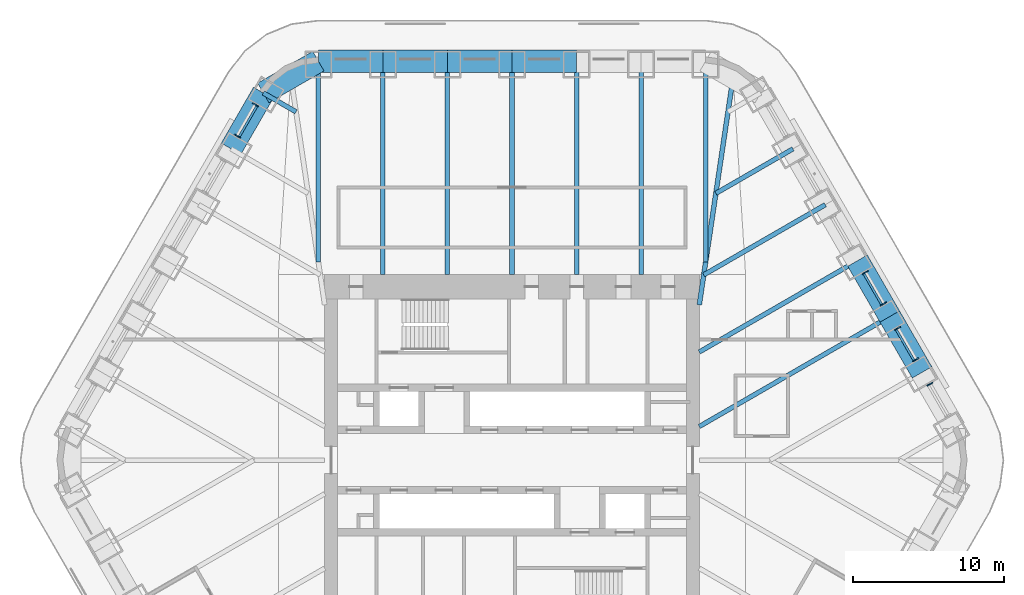
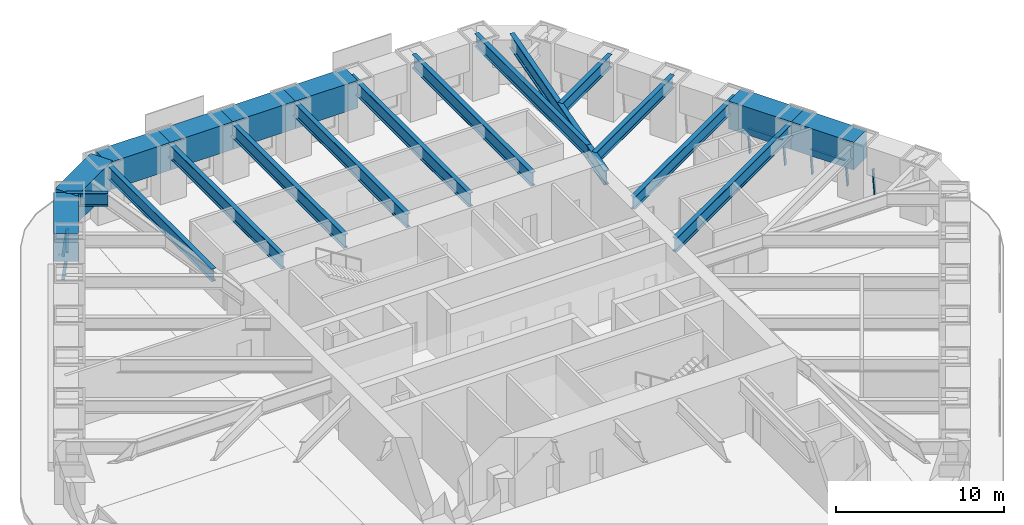
# One storey, part 9 of 18: 21 beams, 10 members, 4 elements without a shape of their own.
"""IFC4 building model written with IfcOpenShell, lengths in metres."""

from ifc_helpers import new_model, si_unit, direction, frame, origin, origin_2d, place, context, subcontext, project, spatial, rectangle, i_section, extrude, material, material_profile, profile_set, type_object, element, aggregate, save


model = new_model("IFC4")

# Units and contexts
model_context = context("Model", 3, precision=1e-05, world=origin(), true_north=direction((0.0, 1.0)))
body_context = subcontext(model_context, "Body", "Model", "MODEL_VIEW")
ifc_project = project(units=[si_unit("LENGTHUNIT", "METRE"), si_unit("AREAUNIT", "SQUARE_METRE"), si_unit("VOLUMEUNIT", "CUBIC_METRE"), si_unit("PLANEANGLEUNIT", "RADIAN"), si_unit("MASSUNIT", "GRAM", prefix="KILO")], contexts=[model_context])

# Site, building, storey
site_placement = place(None, origin())
site = spatial("IfcSite", under=ifc_project, at=site_placement, CompositionType="ELEMENT")
building_placement = place(site_placement, origin())
building = spatial("IfcBuilding", under=site, at=building_placement, Name="Tarfa Lantern Tower", CompositionType="ELEMENT")
storey_placement = place(building_placement, frame((0.0, 0.0, 311.5)))
storey = spatial("IfcBuildingStorey", under=building, at=storey_placement, Name="L70", CompositionType="ELEMENT", Elevation=311.5)

# Curtain wall, member
ifc_material_1 = material(Name="Aluminium framed curtain wall", Category="aluminium")
curtain_wall_type = type_object("IfcCurtainWallType", Name="CW4 CANTED GLAZING EXECUTIVE ZONE 2000", PredefinedType="USERDEFINED", material=ifc_material_1)
curtain_wall_1_placement = place(storey_placement, origin())
curtain_wall_1 = element("IfcCurtainWall", 1, at=curtain_wall_1_placement, inside=storey, type_object=curtain_wall_type, Name="CW4 NE L70", ObjectType="CURTAIN WALL", PredefinedType="USERDEFINED")
ifc_material_2 = material(Name="Aluminium mullion", Category="aluminium")
ifc_material_profile_1 = material_profile(ifc_material_2, rectangle(XDim=0.06494140625, YDim=0.199951171875, at=origin_2d()), Name="AL MULLION 65x200")
ifc_profile_set_1 = profile_set([ifc_material_profile_1], Name="Aluminium mullion")
member_type_1 = type_object("IfcMemberType", Name="CWM1 MULLION 65x200", PredefinedType="MULLION", material=ifc_profile_set_1)
member_1_placement = place(storey_placement, frame((27.827880859375, 5.100830078125, 0.0), z_axis=(-0.107439978116, -0.062017213975, 0.992275423596), x_axis=(0.499919672301, -0.866071776036, 0.0)))
member_1 = element("IfcMember", 2, at=member_1_placement, type_object=member_type_1, Name="CW4 mullion 2", PredefinedType="MULLION", context=body_context, shape_type="SweptSolid", body=[
    extrude(rectangle(XDim=0.06494140625, YDim=0.199951171875, at=origin_2d()), origin(), (0.0, 0.0, 1.0), 2.015625),
])
aggregate(curtain_wall_1, [member_1])

# Curtain wall, members
curtain_wall_2_placement = place(storey_placement, origin())
curtain_wall_2 = element("IfcCurtainWall", 3, at=curtain_wall_2_placement, inside=storey, type_object=curtain_wall_type, Name="CW4 NE L70", ObjectType="CURTAIN WALL", PredefinedType="USERDEFINED")
member_2_placement = place(storey_placement, frame((26.895263671875, 6.7158203125, 0.0), z_axis=(-0.107320246625, -0.062018020623, 0.992288329964), x_axis=(0.500342721131, -0.865827443207, 0.0)))
member_2 = element("IfcMember", 4, at=member_2_placement, type_object=member_type_1, Name="CW4 mullion 1", PredefinedType="MULLION", context=body_context, shape_type="SweptSolid", body=[
    extrude(rectangle(XDim=0.06494140625, YDim=0.199951171875, at=origin_2d()), origin(), (0.0, 0.0, 1.0), 2.015625),
])
member_3_placement = place(storey_placement, frame((25.686767578125, 8.80908203125, 0.0), z_axis=(-0.107439978116, -0.062017213975, 0.992275423596), x_axis=(0.499919672301, -0.866071776036, 0.0)))
member_3 = element("IfcMember", 5, at=member_3_placement, type_object=member_type_1, Name="CW4 mullion 2", PredefinedType="MULLION", context=body_context, shape_type="SweptSolid", body=[
    extrude(rectangle(XDim=0.06494140625, YDim=0.199951171875, at=origin_2d()), origin(), (0.0, 0.0, 1.0), 2.015625),
])

curtain_wall_3_placement = place(storey_placement, origin())
curtain_wall_3 = element("IfcCurtainWall", 6, at=curtain_wall_3_placement, inside=storey, type_object=curtain_wall_type, Name="CW4 NE L70", ObjectType="CURTAIN WALL", PredefinedType="USERDEFINED")
member_4_placement = place(storey_placement, frame((24.75439453125, 10.42431640625, 0.0), z_axis=(-0.107439978116, -0.062017213975, 0.992275423596), x_axis=(0.499919672301, -0.866071776036, 0.0)))
member_4 = element("IfcMember", 7, at=member_4_placement, type_object=member_type_1, Name="CW4 mullion 1", PredefinedType="MULLION", context=body_context, shape_type="SweptSolid", body=[
    extrude(rectangle(XDim=0.06494140625, YDim=0.199951171875, at=origin_2d()), origin(), (0.0, 0.0, 1.0), 2.015625),
])
member_5_placement = place(storey_placement, frame((23.5458984375, 12.517333984375, 0.0), z_axis=(-0.107439978116, -0.062017213975, 0.992275423596), x_axis=(0.499919672301, -0.866071776036, 0.0)))
member_5 = element("IfcMember", 8, at=member_5_placement, type_object=member_type_1, Name="CW4 mullion 2", PredefinedType="MULLION", context=body_context, shape_type="SweptSolid", body=[
    extrude(rectangle(XDim=0.06494140625, YDim=0.199951171875, at=origin_2d()), origin(), (0.0, 0.0, 1.0), 2.015625),
])

curtain_wall_4_placement = place(storey_placement, origin())
curtain_wall_4 = element("IfcCurtainWall", 9, at=curtain_wall_4_placement, inside=storey, type_object=curtain_wall_type, Name="CW4 NW L70", ObjectType="CURTAIN WALL", PredefinedType="USERDEFINED")
member_6_placement = place(storey_placement, frame((-17.122802734375, 23.642333984375, 0.0), z_axis=(0.107439978116, -0.062017213975, 0.992275423596), x_axis=(0.499919672301, 0.866071776036, 0.0)))
member_6 = element("IfcMember", 10, at=member_6_placement, type_object=member_type_1, Name="CW4 mullion 1", PredefinedType="MULLION", context=body_context, shape_type="SweptSolid", body=[
    extrude(rectangle(XDim=0.06494140625, YDim=0.199951171875, at=origin_2d()), origin(), (0.0, 0.0, 1.0), 2.015625),
])
member_7_placement = place(storey_placement, frame((-18.331298828125, 21.54931640625, 0.0), z_axis=(0.107439978116, -0.062017213975, 0.992275423596), x_axis=(0.499919672301, 0.866071776036, 0.0)))
member_7 = element("IfcMember", 11, at=member_7_placement, type_object=member_type_1, Name="CW4 mullion 2", PredefinedType="MULLION", context=body_context, shape_type="SweptSolid", body=[
    extrude(rectangle(XDim=0.06494140625, YDim=0.199951171875, at=origin_2d()), origin(), (0.0, 0.0, 1.0), 2.015625),
])

# Member
ifc_material_3 = material(Name="Aluminium transom", Category="aluminium")
ifc_material_profile_2 = material_profile(ifc_material_3, rectangle(XDim=0.14990234375, YDim=0.06494140625, at=origin_2d()), Name="AL TRANSOM 150x65")
ifc_profile_set_2 = profile_set([ifc_material_profile_2], Name="Aluminium transom")
member_type_2 = type_object("IfcMemberType", Name="CWT1 TRANSOM 150x65", PredefinedType="USERDEFINED", material=ifc_profile_set_2)
member_8_placement = place(storey_placement, frame((26.666015625, 6.62109375, 1.967529296875), z_axis=(-0.500012978079, 0.866017910757, 0.0), x_axis=(-0.866017910757, -0.500012978079, 0.0)))
member_8 = element("IfcMember", 12, at=member_8_placement, type_object=member_type_2, Name="CW4 transom 1.2", ObjectType="TRANSOM", PredefinedType="USERDEFINED", context=body_context, shape_type="SweptSolid", body=[
    extrude(rectangle(XDim=0.14990234375, YDim=0.06494140625, at=origin_2d()), origin(), (0.0, 0.0, 1.0), 2.35205078125),
])

aggregate(curtain_wall_2, [member_2, member_3, member_8])

member_9_placement = place(storey_placement, frame((24.525146484375, 10.329345703125, 1.967529296875), z_axis=(-0.500012978079, 0.866017910757, 0.0), x_axis=(-0.866017910757, -0.500012978079, 0.0)))
member_9 = element("IfcMember", 13, at=member_9_placement, type_object=member_type_2, Name="CW4 transom 1.2", ObjectType="TRANSOM", PredefinedType="USERDEFINED", context=body_context, shape_type="SweptSolid", body=[
    extrude(rectangle(XDim=0.14990234375, YDim=0.06494140625, at=origin_2d()), origin(), (0.0, 0.0, 1.0), 2.35205078125),
])

aggregate(curtain_wall_3, [member_4, member_5, member_9])

member_10_placement = place(storey_placement, frame((-16.926025390625, 23.4912109375, 1.967529296875), z_axis=(-0.500012978079, -0.866017910757, 0.0), x_axis=(0.866017910757, -0.500012978079, 0.0)))
member_10 = element("IfcMember", 14, at=member_10_placement, type_object=member_type_2, Name="CW4 transom 1.2", ObjectType="TRANSOM", PredefinedType="USERDEFINED", context=body_context, shape_type="SweptSolid", body=[
    extrude(rectangle(XDim=0.14990234375, YDim=0.06494140625, at=origin_2d()), origin(), (0.0, 0.0, 1.0), 2.35205078125),
])

aggregate(curtain_wall_4, [member_6, member_7, member_10])

# Beams
ifc_material_4 = material(Name="Concrete C80/95", Category="concrete")
ifc_material_profile_3 = material_profile(ifc_material_4, rectangle(XDim=1.5, YDim=2.0, at=origin_2d()), Name="RC 1500x2000")
ifc_profile_set_3 = profile_set([ifc_material_profile_3], Name="Concrete C80/95")
beam_type_1 = type_object("IfcBeamType", Name="RB3 RC 1500x2000", PredefinedType="BEAM", material=ifc_profile_set_3)
beam_1_placement = place(storey_placement, frame((27.205810546875, 5.818359375, 3.0), z_axis=(-0.500026801138, 0.866009929587, 0.0), x_axis=(-0.866009929587, -0.500026801138, 0.0)))
element("IfcBeam", 15, at=beam_1_placement, inside=storey, type_object=beam_type_1, Name="Edge beam NE1", PredefinedType="BEAM", context=body_context, shape_type="SweptSolid", body=[
    extrude(rectangle(XDim=1.5, YDim=2.0, at=origin_2d()), origin(), (0.0, 0.0, 1.0), 4.281982421875),
])
beam_2_placement = place(storey_placement, frame((25.064697265625, 9.526611328125, 3.0), z_axis=(-0.500002112793, 0.866024183959, 0.0), x_axis=(-0.866024183959, -0.500002112793, 0.0)))
element("IfcBeam", 16, at=beam_2_placement, inside=storey, type_object=beam_type_1, Name="Edge beam NE2", PredefinedType="BEAM", context=body_context, shape_type="SweptSolid", body=[
    extrude(rectangle(XDim=1.5, YDim=2.0, at=origin_2d()), origin(), (0.0, 0.0, 1.0), 4.2822265625),
])
for number, where, z_axis, x_axis, name in (
    (17, (4.281982421875, 26.469970703125, 3.0), (-1.0, 0.0, 0.0), (0.0, -1.0, 0.0), "Edge beam N2"),
    (18, (0.0, 26.469970703125, 3.0), (-1.0, 0.0, 0.0), (0.0, -1.0, 0.0), "Edge beam N3"),
    (19, (-4.281982421875, 26.469970703125, 3.0), (-1.0, 0.0, 0.0), (0.0, -1.0, 0.0), "Edge beam N4"),
    (20, (-8.56396484375, 26.469970703125, 3.0), (-1.0, 0.0, 0.0), (0.0, -1.0, 0.0), "Edge beam N5"),
):
    element("IfcBeam", number, at=place(storey_placement, frame(where, z_axis=z_axis, x_axis=x_axis)), inside=storey, type_object=beam_type_1, Name=name, PredefinedType="BEAM", context=body_context, shape_type="SweptSolid", body=[
        extrude(rectangle(XDim=1.5, YDim=2.0, at=origin_2d()), origin(), (0.0, 0.0, 1.0), 4.281982421875),
    ])
beam_3_placement = place(storey_placement, frame((-12.845947265625, 26.469970703125, 3.0), z_axis=(-0.866048788483, -0.499959494327, 0.0), x_axis=(0.499959494327, -0.866048788483, 0.0)))
element("IfcBeam", 21, at=beam_3_placement, inside=storey, type_object=beam_type_1, Name="Edge beam N6", PredefinedType="BEAM", context=body_context, shape_type="SweptSolid", body=[
    extrude(rectangle(XDim=1.5, YDim=2.0, at=origin_2d()), origin(), (0.0, 0.0, 1.0), 4.219970703125),
])
beam_4_placement = place(storey_placement, frame((-16.500732421875, 24.360107421875, 3.0), z_axis=(-0.499959351497, -0.866048870937, 0.0), x_axis=(0.866048870937, -0.499959351497, 0.0)))
element("IfcBeam", 22, at=beam_4_placement, inside=storey, type_object=beam_type_1, Name="Edge beam NW0", PredefinedType="BEAM", context=body_context, shape_type="SweptSolid", body=[
    extrude(rectangle(XDim=1.5, YDim=2.0, at=origin_2d()), origin(), (0.0, 0.0, 1.0), 4.281982421875),
])
ifc_material_5 = material(Name="Steel S460M", Category="steel")
ifc_material_profile_4 = material_profile(ifc_material_5, i_section(OverallWidth=0.302001953125, OverallDepth=1.008056640625, WebThickness=0.02099609375, FlangeThickness=0.0400390625, FilletRadius=0.030029296875, at=origin_2d()), Name="UB1016x305x349")
ifc_profile_set_4 = profile_set([ifc_material_profile_4], Name="Steel S460M")
beam_type_2 = type_object("IfcBeamType", Name="UB1016x305x349", PredefinedType="BEAM", material=ifc_profile_set_4)
beam_5_placement = place(storey_placement, frame((25.064697265625, 9.526611328125, 3.495849609375), z_axis=(-0.866029591389, -0.499992746786, 0.0), x_axis=(0.499992746786, -0.866029591389, 0.0)))
element("IfcBeam", 23, at=beam_5_placement, inside=storey, type_object=beam_type_2, Name="Floor beam NE2", PredefinedType="BEAM", context=body_context, shape_type="SweptSolid", body=[
    extrude(i_section(OverallWidth=0.302001953125, OverallDepth=1.008056640625, WebThickness=0.02099609375, FlangeThickness=0.0400390625, FilletRadius=0.030029296875, at=origin_2d()), origin(), (0.0, 0.0, 1.0), 14.594970703125),
])
for number, where, z_axis, x_axis, name in (
    (24, (8.56396484375, 26.469970703125, 3.495849609375), (0.0, -1.0, 0.0), (1.0, 0.0, 0.0), "Floor beam N1"),
    (25, (4.281982421875, 26.469970703125, 3.495849609375), (0.0, -1.0, 0.0), (1.0, 0.0, 0.0), "Floor beam N2"),
    (26, (0.0, 26.469970703125, 3.495849609375), (0.0, -1.0, 0.0), (1.0, 0.0, 0.0), "Floor beam N3"),
    (27, (-4.281982421875, 26.469970703125, 3.495849609375), (0.0, -1.0, 0.0), (1.0, 0.0, 0.0), "Floor beam N4"),
    (28, (-8.56396484375, 26.469970703125, 3.495849609375), (0.0, -1.0, 0.0), (1.0, 0.0, 0.0), "Floor beam N5"),
):
    element("IfcBeam", number, at=place(storey_placement, frame(where, z_axis=z_axis, x_axis=x_axis)), inside=storey, type_object=beam_type_2, Name=name, PredefinedType="BEAM", context=body_context, shape_type="SweptSolid", body=[
        extrude(i_section(OverallWidth=0.302001953125, OverallDepth=1.008056640625, WebThickness=0.02099609375, FlangeThickness=0.0400390625, FilletRadius=0.030029296875, at=origin_2d()), origin(), (0.0, 0.0, 1.0), 14.169921875),
    ])
ifc_material_profile_5 = material_profile(ifc_material_5, i_section(OverallWidth=0.314208984375, OverallDepth=1.055908203125, WebThickness=0.035888671875, FlangeThickness=0.06396484375, FilletRadius=0.030029296875, at=origin_2d()), Name="UB1016x305x584")
ifc_profile_set_5 = profile_set([ifc_material_profile_5], Name="Steel S460M")
beam_type_3 = type_object("IfcBeamType", Name="UB1016x305x584", PredefinedType="BEAM", material=ifc_profile_set_5)
beam_6_placement = place(storey_placement, frame((12.425048828125, 10.300048828125, 3.471923828125), z_axis=(0.147127069073, 0.989117599452, 0.0), x_axis=(-0.989117599452, 0.147127069073, 0.0)))
element("IfcBeam", 29, at=beam_6_placement, inside=storey, type_object=beam_type_3, Name="Hip girder NE", PredefinedType="BEAM", context=body_context, shape_type="SweptSolid", body=[
    extrude(i_section(OverallWidth=0.314208984375, OverallDepth=1.055908203125, WebThickness=0.035888671875, FlangeThickness=0.06396484375, FilletRadius=0.030029296875, at=origin_2d()), origin(), (0.0, 0.0, 1.0), 15.28125),
])
ifc_material_profile_6 = material_profile(ifc_material_5, i_section(OverallWidth=0.305419921875, OverallDepth=0.91845703125, WebThickness=0.017333984375, FlangeThickness=0.02783203125, FilletRadius=0.01904296875, at=origin_2d()), Name="UB914x305x253")
ifc_profile_set_6 = profile_set([ifc_material_profile_6], Name="Steel S460M")
beam_type_4 = type_object("IfcBeamType", Name="UB914x305x253", PredefinedType="BEAM", material=ifc_profile_set_6)
beam_7_placement = place(storey_placement, frame((22.923583984375, 13.235107421875, 3.540771484375), z_axis=(-0.86601856927, -0.500011837539, 0.0), x_axis=(0.500011837539, -0.86601856927, 0.0)))
element("IfcBeam", 30, at=beam_7_placement, inside=storey, type_object=beam_type_4, Name="Floor beam NE3", PredefinedType="BEAM", context=body_context, shape_type="SweptSolid", body=[
    extrude(i_section(OverallWidth=0.305419921875, OverallDepth=0.91845703125, WebThickness=0.017333984375, FlangeThickness=0.02783203125, FilletRadius=0.01904296875, at=origin_2d()), origin(), (0.0, 0.0, 1.0), 12.122802734375),
])
beam_8_placement = place(storey_placement, frame((20.78271484375, 16.943359375, 3.540771484375), z_axis=(-0.866021806508, -0.500006230613, 0.0), x_axis=(0.500006230613, -0.866021806508, 0.0)))
element("IfcBeam", 31, at=beam_8_placement, inside=storey, type_object=beam_type_4, Name="Floor beam NE4", PredefinedType="BEAM", context=body_context, shape_type="SweptSolid", body=[
    extrude(i_section(OverallWidth=0.305419921875, OverallDepth=0.91845703125, WebThickness=0.017333984375, FlangeThickness=0.02783203125, FilletRadius=0.01904296875, at=origin_2d()), origin(), (0.0, 0.0, 1.0), 9.30908203125),
])
beam_9_placement = place(storey_placement, frame((18.6416015625, 20.651611328125, 3.540771484375), z_axis=(-0.866024549157, -0.500001480256, 0.0), x_axis=(0.500001480256, -0.866024549157, 0.0)))
element("IfcBeam", 32, at=beam_9_placement, inside=storey, type_object=beam_type_4, Name="Floor beam NE5", PredefinedType="BEAM", context=body_context, shape_type="SweptSolid", body=[
    extrude(i_section(OverallWidth=0.305419921875, OverallDepth=0.91845703125, WebThickness=0.017333984375, FlangeThickness=0.02783203125, FilletRadius=0.01904296875, at=origin_2d()), origin(), (0.0, 0.0, 1.0), 5.90771484375),
])
for number, where, z_axis, x_axis, name in (
    (33, (12.845947265625, 26.469970703125, 3.540771484375), (0.0, -1.0, 0.0), (1.0, 0.0, 0.0), "Floor beam N0"),
    (34, (-12.845947265625, 26.469970703125, 3.540771484375), (0.0, -1.0, 0.0), (1.0, 0.0, 0.0), "Floor beam N6"),
):
    element("IfcBeam", number, at=place(storey_placement, frame(where, z_axis=z_axis, x_axis=x_axis)), inside=storey, type_object=beam_type_4, Name=name, PredefinedType="BEAM", context=body_context, shape_type="SweptSolid", body=[
        extrude(i_section(OverallWidth=0.305419921875, OverallDepth=0.91845703125, WebThickness=0.017333984375, FlangeThickness=0.02783203125, FilletRadius=0.01904296875, at=origin_2d()), origin(), (0.0, 0.0, 1.0), 13.33935546875),
    ])
beam_10_placement = place(storey_placement, frame((-16.500732421875, 24.360107421875, 3.540771484375), z_axis=(0.865992557167, -0.500056887695, 0.0), x_axis=(0.500056887695, 0.865992557167, 0.0)))
element("IfcBeam", 35, at=beam_10_placement, inside=storey, type_object=beam_type_4, Name="Floor beam NW0", PredefinedType="BEAM", context=body_context, shape_type="SweptSolid", body=[
    extrude(i_section(OverallWidth=0.305419921875, OverallDepth=0.91845703125, WebThickness=0.017333984375, FlangeThickness=0.02783203125, FilletRadius=0.01904296875, at=origin_2d()), origin(), (0.0, 0.0, 1.0), 2.506591796875),
])

save(model, "model.ifc")
